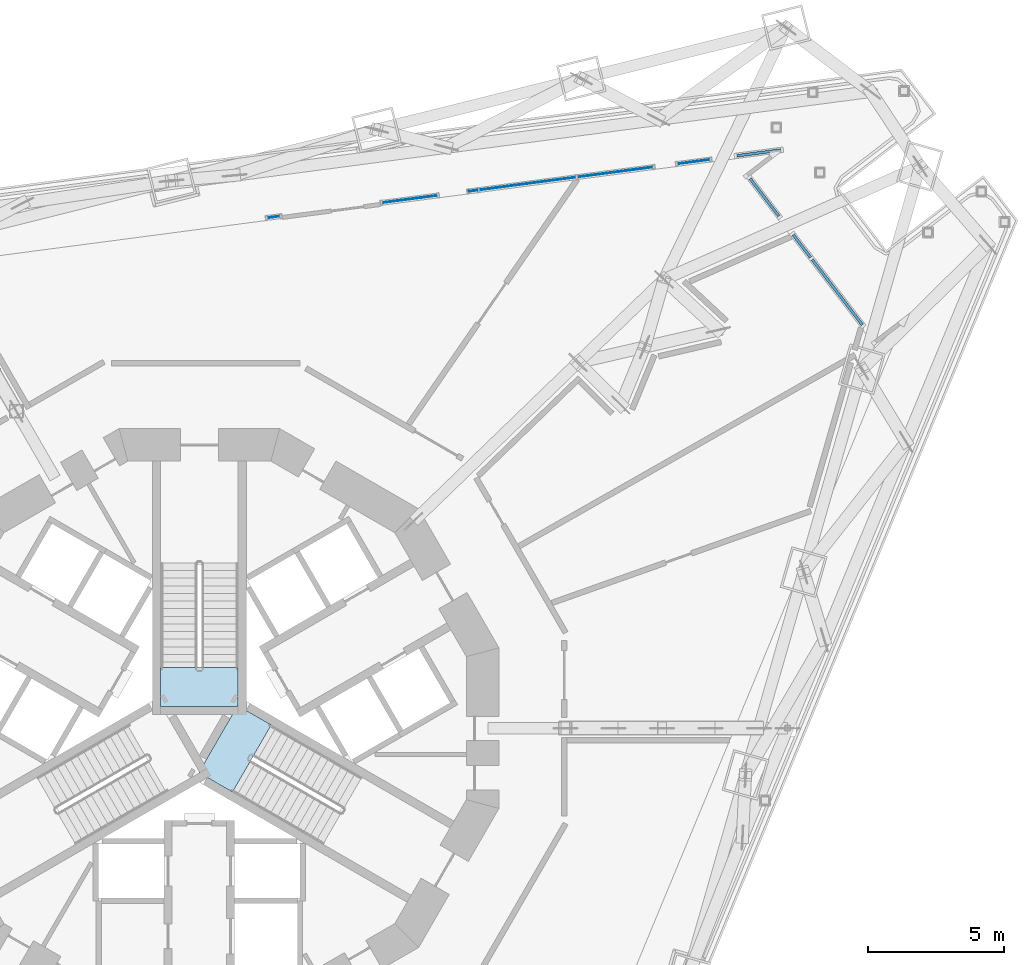
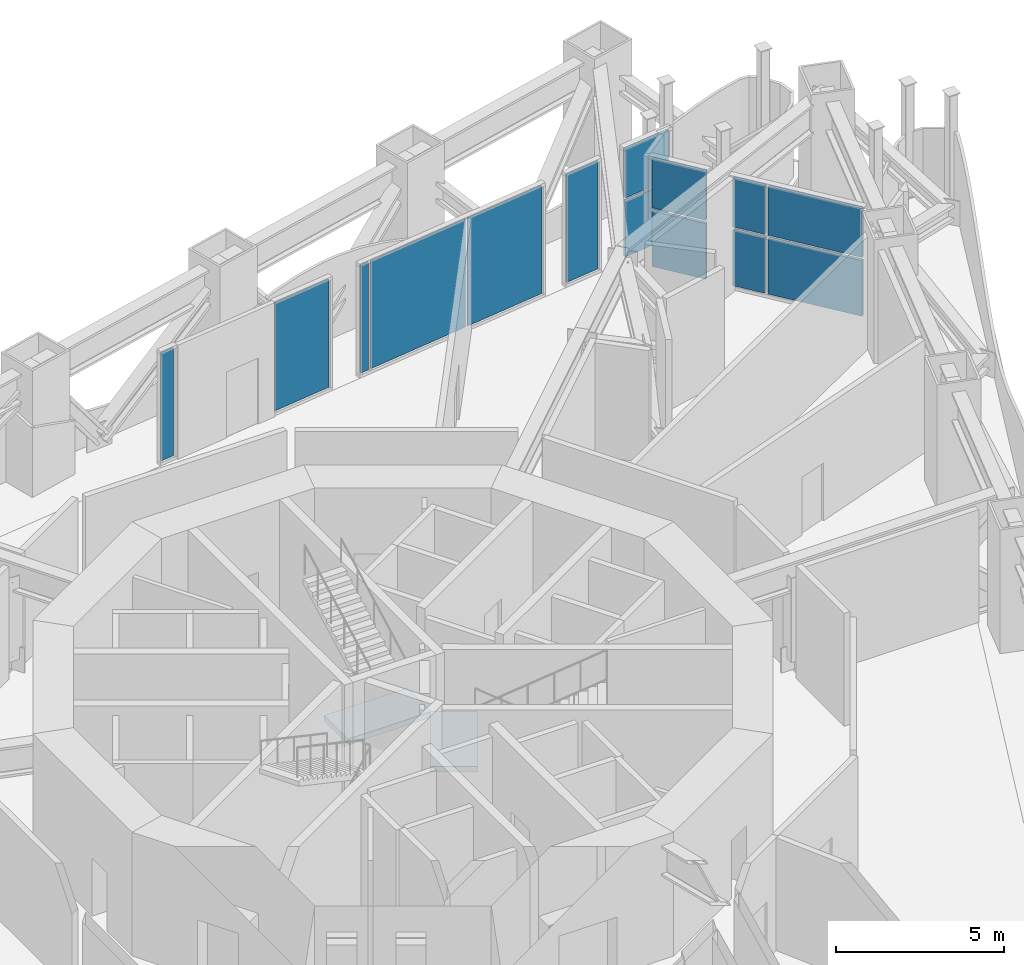
# One storey, part 16 of 31: 14 plates, 2 slabs, 9 elements without a shape of their own.
"""IFC4 building model written with IfcOpenShell, lengths in metres."""

from ifc_helpers import new_model, si_unit, direction, frame, origin, origin_2d, place, context, subcontext, project, spatial, polyline, rectangle, outline, extrude, material, layer, layer_set, type_object, element, aggregate, save


model = new_model("IFC4")

# Units and contexts
model_context = context("Model", 3, precision=1e-05, world=origin(), true_north=direction((0.0, 1.0)))
body_context = subcontext(model_context, "Body", "Model", "MODEL_VIEW")
ifc_project = project(units=[si_unit("LENGTHUNIT", "METRE"), si_unit("AREAUNIT", "SQUARE_METRE"), si_unit("VOLUMEUNIT", "CUBIC_METRE"), si_unit("PLANEANGLEUNIT", "RADIAN"), si_unit("MASSUNIT", "GRAM", prefix="KILO")], contexts=[model_context])

# Site, building, storey
site_placement = place(None, origin())
site = spatial("IfcSite", under=ifc_project, at=site_placement, CompositionType="ELEMENT")
building_placement = place(site_placement, origin())
building = spatial("IfcBuilding", under=site, at=building_placement, Name="Trine Commons Tower", CompositionType="ELEMENT")
storey_placement = place(building_placement, frame((0.0, 0.0, 82.800048828125)))
storey = spatial("IfcBuildingStorey", under=building, at=storey_placement, Name="L20", CompositionType="ELEMENT", Elevation=82.800048828125)

# Curtain wall, plate
ifc_material_1 = material(Name="Sky lounge glazing: anodised aluminium frame with low-emissivity double glazed unit, solar control", Category="aluminium")
ifc_layer_1 = layer(ifc_material_1, 0.179931640625)
ifc_layer_set_1 = layer_set([ifc_layer_1], Name="Sky lounge glazing: anodised aluminium frame with low-emissivity double glazed unit, solar control")
curtain_wall_type_1 = type_object("IfcCurtainWallType", Name="Sky lounge glazing curtain wall CW5", PredefinedType="NOTDEFINED", material=ifc_layer_set_1)
curtain_wall_1_placement = place(storey_placement, origin())
curtain_wall_1 = element("IfcCurtainWall", 1, at=curtain_wall_1_placement, inside=storey, type_object=curtain_wall_type_1, Name="Sky lounge glazing L20 F1.1", PredefinedType="NOTDEFINED")
ifc_material_2 = material(Name="Low-emissivity double glazed unit, solar control")
ifc_layer_2 = layer(ifc_material_2, 0.031982421875)
ifc_layer_set_2 = layer_set([ifc_layer_2], Name="Low-emissivity double glazed unit, solar control")
plate_type_1 = type_object("IfcPlateType", Name="Double glazed unit 32 mm (sky floors)", PredefinedType="CURTAIN_PANEL", material=ifc_layer_set_2)
plate_1_placement = place(storey_placement, frame((82.733154296875, 81.2841796875, 0.10986328125), z_axis=(0.0, 0.0, 1.0), x_axis=(0.991444861374, 0.13052619222, 0.0)))
plate_1 = element("IfcPlate", 2, at=plate_1_placement, type_object=plate_type_1, Name="CW5 panel 1.1", PredefinedType="CURTAIN_PANEL", context=body_context, shape_type="SweptSolid", body=[
    extrude(rectangle(XDim=0.4580078125, YDim=0.031982421875, at=origin_2d()), origin(), (0.0, 0.0, 1.0), 3.929931640625),
])
aggregate(curtain_wall_1, [plate_1])

curtain_wall_2_placement = place(storey_placement, origin())
curtain_wall_2 = element("IfcCurtainWall", 3, at=curtain_wall_2_placement, inside=storey, type_object=curtain_wall_type_1, Name="Sky lounge glazing L20 F1.2", PredefinedType="NOTDEFINED")
plate_2_placement = place(storey_placement, frame((87.73095703125, 81.942138671875, 0.10986328125), z_axis=(0.0, 0.0, 1.0), x_axis=(0.991444861374, 0.13052619222, 0.0)))
plate_2 = element("IfcPlate", 4, at=plate_2_placement, type_object=plate_type_1, Name="CW5 panel 1.1", PredefinedType="CURTAIN_PANEL", context=body_context, shape_type="SweptSolid", body=[
    extrude(rectangle(XDim=2.03662109375, YDim=0.031982421875, at=origin_2d()), origin(), (0.0, 0.0, 1.0), 3.929931640625),
])
aggregate(curtain_wall_2, [plate_2])

# Curtain wall, plates
curtain_wall_3_placement = place(storey_placement, origin())
curtain_wall_3 = element("IfcCurtainWall", 5, at=curtain_wall_3_placement, inside=storey, type_object=curtain_wall_type_1, Name="Sky lounge glazing L20 F1.3", PredefinedType="NOTDEFINED")
plate_3_placement = place(storey_placement, frame((90.0673828125, 82.249755859375, 0.10986328125), z_axis=(0.0, 0.0, 1.0), x_axis=(0.991444861374, 0.13052619222, 0.0)))
plate_3 = element("IfcPlate", 6, at=plate_3_placement, type_object=plate_type_1, Name="CW5 panel 1.1", PredefinedType="CURTAIN_PANEL", context=body_context, shape_type="SweptSolid", body=[
    extrude(rectangle(XDim=0.312744140625, YDim=0.031982421875, at=origin_2d()), origin(), (0.0, 0.0, 1.0), 3.929931640625),
])
plate_4_placement = place(storey_placement, frame((92.065673828125, 82.512939453125, 0.10986328125), z_axis=(0.0, 0.0, 1.0), x_axis=(0.991444861374, 0.13052619222, 0.0)))
plate_4 = element("IfcPlate", 7, at=plate_4_placement, type_object=plate_type_1, Name="CW5 panel 2.1", PredefinedType="CURTAIN_PANEL", context=body_context, shape_type="SweptSolid", body=[
    extrude(rectangle(XDim=3.568603515625, YDim=0.031982421875, at=origin_2d()), origin(), (0.0, 0.0, 1.0), 3.929931640625),
])
plate_5_placement = place(storey_placement, frame((95.28955078125, 82.937255859375, 0.10986328125), z_axis=(0.0, 0.0, 1.0), x_axis=(0.991444861374, 0.13052619222, 0.0)))
plate_5 = element("IfcPlate", 8, at=plate_5_placement, type_object=plate_type_1, Name="CW5 panel 3.1", PredefinedType="CURTAIN_PANEL", context=body_context, shape_type="SweptSolid", body=[
    extrude(rectangle(XDim=2.78466796875, YDim=0.031982421875, at=origin_2d()), origin(), (0.0, 0.0, 1.0), 3.929931640625),
])
aggregate(curtain_wall_3, [plate_3, plate_4, plate_5])

# Curtain wall, plate
curtain_wall_4_placement = place(storey_placement, origin())
curtain_wall_4 = element("IfcCurtainWall", 9, at=curtain_wall_4_placement, inside=storey, type_object=curtain_wall_type_1, Name="Sky lounge glazing L20 F1.4", PredefinedType="NOTDEFINED")
plate_6_placement = place(storey_placement, frame((98.169921875, 83.31640625, 0.10986328125), z_axis=(0.0, 0.0, 1.0), x_axis=(0.991444861374, 0.13052619222, 0.0)))
plate_6 = element("IfcPlate", 10, at=plate_6_placement, type_object=plate_type_1, Name="CW5 panel 1.1", PredefinedType="CURTAIN_PANEL", context=body_context, shape_type="SweptSolid", body=[
    extrude(rectangle(XDim=1.19091796875, YDim=0.031982421875, at=origin_2d()), origin(), (0.0, 0.0, 1.0), 3.929931640625),
])
aggregate(curtain_wall_4, [plate_6])

# Curtain wall, plates
ifc_material_3 = material(Name="Plant louvre wall: anodised aluminium frame with anodised aluminium louvre blades", Category="aluminium")
ifc_layer_3 = layer(ifc_material_3, 0.199951171875)
ifc_layer_set_3 = layer_set([ifc_layer_3], Name="Plant louvre wall: anodised aluminium frame with anodised aluminium louvre blades")
curtain_wall_type_2 = type_object("IfcCurtainWallType", Name="Plant louvre wall curtain wall CW7", PredefinedType="NOTDEFINED", material=ifc_layer_set_3)
curtain_wall_5_placement = place(storey_placement, origin())
curtain_wall_5 = element("IfcCurtainWall", 11, at=curtain_wall_5_placement, inside=storey, type_object=curtain_wall_type_2, Name="Plant louvre wall L20 F1.5", PredefinedType="NOTDEFINED")
ifc_material_4 = material(Name="Anodised aluminium louvre blades", Category="aluminium")
ifc_layer_4 = layer(ifc_material_4, 0.10009765625)
ifc_layer_set_4 = layer_set([ifc_layer_4], Name="Anodised aluminium louvre blades")
plate_type_2 = type_object("IfcPlateType", Name="Fixed aluminium louvre panel 100", PredefinedType="CURTAIN_PANEL", material=ifc_layer_set_4)
plate_7_placement = place(storey_placement, frame((100.561767578125, 83.6416015625, 0.119873046875), z_axis=(0.0, 0.0, 1.0), x_axis=(0.991444861374, 0.13052619222, 0.0)))
plate_7 = element("IfcPlate", 12, at=plate_7_placement, type_object=plate_type_2, Name="CW7 panel 1.1", PredefinedType="CURTAIN_PANEL", context=body_context, shape_type="SweptSolid", body=[
    extrude(rectangle(XDim=1.621826171875, YDim=0.10009765625, at=origin_2d()), origin(), (0.0, 0.0, 1.0), 2.02001953125),
])
plate_8_placement = place(storey_placement, frame((100.561767578125, 83.6416015625, 2.260009765625), z_axis=(0.0, 0.0, 1.0), x_axis=(0.991444861374, 0.13052619222, 0.0)))
plate_8 = element("IfcPlate", 13, at=plate_8_placement, type_object=plate_type_2, Name="CW7 panel 1.2", PredefinedType="CURTAIN_PANEL", context=body_context, shape_type="SweptSolid", body=[
    extrude(rectangle(XDim=1.621826171875, YDim=0.10009765625, at=origin_2d()), origin(), (0.0, 0.0, 1.0), 1.77001953125),
])
aggregate(curtain_wall_5, [plate_7, plate_8])

curtain_wall_6_placement = place(storey_placement, origin())
curtain_wall_6 = element("IfcCurtainWall", 14, at=curtain_wall_6_placement, inside=storey, type_object=curtain_wall_type_2, Name="Plant louvre wall L20 P2.1", PredefinedType="NOTDEFINED")
plate_9_placement = place(storey_placement, frame((100.7705078125, 82.007080078125, 0.119873046875), z_axis=(0.0, 0.0, 1.0), x_axis=(0.608761429009, -0.793353340291, 0.0)))
plate_9 = element("IfcPlate", 15, at=plate_9_placement, type_object=plate_type_2, Name="CW7 panel 1.1", PredefinedType="CURTAIN_PANEL", context=body_context, shape_type="SweptSolid", body=[
    extrude(rectangle(XDim=1.736328125, YDim=0.10009765625, at=origin_2d()), origin(), (0.0, 0.0, 1.0), 2.02001953125),
])
plate_10_placement = place(storey_placement, frame((100.7705078125, 82.007080078125, 2.260009765625), z_axis=(0.0, 0.0, 1.0), x_axis=(0.608761429009, -0.793353340291, 0.0)))
plate_10 = element("IfcPlate", 16, at=plate_10_placement, type_object=plate_type_2, Name="CW7 panel 1.2", PredefinedType="CURTAIN_PANEL", context=body_context, shape_type="SweptSolid", body=[
    extrude(rectangle(XDim=1.736328125, YDim=0.10009765625, at=origin_2d()), origin(), (0.0, 0.0, 1.0), 1.77001953125),
])
aggregate(curtain_wall_6, [plate_9, plate_10])

curtain_wall_7_placement = place(storey_placement, origin())
curtain_wall_7 = element("IfcCurtainWall", 17, at=curtain_wall_7_placement, inside=storey, type_object=curtain_wall_type_2, Name="Plant louvre wall L20 P2.2", PredefinedType="NOTDEFINED")
plate_11_placement = place(storey_placement, frame((102.145751953125, 80.215087890625, 0.119873046875), z_axis=(0.0, 0.0, 1.0), x_axis=(0.608761429009, -0.793353340291, 0.0)))
plate_11 = element("IfcPlate", 18, at=plate_11_placement, type_object=plate_type_2, Name="CW7 panel 1.1", PredefinedType="CURTAIN_PANEL", context=body_context, shape_type="SweptSolid", body=[
    extrude(rectangle(XDim=1.045654296875, YDim=0.10009765625, at=origin_2d()), origin(), (0.0, 0.0, 1.0), 2.02001953125),
])
plate_12_placement = place(storey_placement, frame((102.145751953125, 80.215087890625, 2.260009765625), z_axis=(0.0, 0.0, 1.0), x_axis=(0.608761429009, -0.793353340291, 0.0)))
plate_12 = element("IfcPlate", 19, at=plate_12_placement, type_object=plate_type_2, Name="CW7 panel 1.2", PredefinedType="CURTAIN_PANEL", context=body_context, shape_type="SweptSolid", body=[
    extrude(rectangle(XDim=1.045654296875, YDim=0.10009765625, at=origin_2d()), origin(), (0.0, 0.0, 1.0), 1.77001953125),
])
plate_13_placement = place(storey_placement, frame((103.44580078125, 78.5205078125, 0.119873046875), z_axis=(0.0, 0.0, 1.0), x_axis=(0.608761429009, -0.793353340291, 0.0)))
plate_13 = element("IfcPlate", 20, at=plate_13_placement, type_object=plate_type_2, Name="CW7 panel 2.1", PredefinedType="CURTAIN_PANEL", context=body_context, shape_type="SweptSolid", body=[
    extrude(rectangle(XDim=3.026123046875, YDim=0.10009765625, at=origin_2d()), origin(), (0.0, 0.0, 1.0), 2.02001953125),
])
plate_14_placement = place(storey_placement, frame((103.44580078125, 78.5205078125, 2.260009765625), z_axis=(0.0, 0.0, 1.0), x_axis=(0.608761429009, -0.793353340291, 0.0)))
plate_14 = element("IfcPlate", 21, at=plate_14_placement, type_object=plate_type_2, Name="CW7 panel 2.2", PredefinedType="CURTAIN_PANEL", context=body_context, shape_type="SweptSolid", body=[
    extrude(rectangle(XDim=3.026123046875, YDim=0.10009765625, at=origin_2d()), origin(), (0.0, 0.0, 1.0), 1.77001953125),
])
aggregate(curtain_wall_7, [plate_11, plate_12, plate_13, plate_14])

# Stair, slab
ifc_material_5 = material(Name="Concrete C50/60", Category="concrete")
stair_type = type_object("IfcStairType", Name="Exit stair, dog-leg, 30 risers of 150 mm", PredefinedType="HALF_TURN_STAIR", material=ifc_material_5)
stair_1_placement = place(storey_placement, origin())
stair_1 = element("IfcStair", 22, at=stair_1_placement, inside=storey, type_object=stair_type, Name="L20 Exit stair ST1A", PredefinedType="HALF_TURN_STAIR")
ifc_layer_5 = layer(ifc_material_5, 0.199951171875)
ifc_layer_set_5 = layer_set([ifc_layer_5], Name="Concrete C50/60")
slab_type = type_object("IfcSlabType", Name="Stair landing slab 200 mm, C50/60", PredefinedType="LANDING", material=ifc_layer_set_5)
slab_1_placement = place(storey_placement, frame((0.0, 0.0, 2.050048828125)))
slab_1 = element("IfcSlab", 23, at=slab_1_placement, type_object=slab_type, Name="ST1A landing 1", PredefinedType="LANDING", context=body_context, shape_type="SweptSolid", body=[
    extrude(outline(polyline([(78.574951171875, 64.730712890625), (78.574951171875, 63.300537109375), (81.425048828125, 63.300537109375), (81.425048828125, 64.730712890625), (78.574951171875, 64.730712890625)])), origin(), (0.0, 0.0, 1.0), 0.199951171875),
])
aggregate(stair_1, [slab_1])

stair_2_placement = place(storey_placement, origin())
stair_2 = element("IfcStair", 24, at=stair_2_placement, inside=storey, type_object=stair_type, Name="L20 Exit stair ST3A", PredefinedType="HALF_TURN_STAIR")
slab_2_placement = place(storey_placement, frame((0.0, 0.0, 2.050048828125)))
slab_2 = element("IfcSlab", 25, at=slab_2_placement, type_object=slab_type, Name="ST3A landing 1", PredefinedType="LANDING", context=body_context, shape_type="SweptSolid", body=[
    extrude(outline(polyline([(82.644287109375, 62.618896484375), (81.40576171875, 63.333740234375), (79.980712890625, 60.86572265625), (81.21923828125, 60.150634765625), (82.644287109375, 62.618896484375)])), origin(), (0.0, 0.0, 1.0), 0.199951171875),
])
aggregate(stair_2, [slab_2])

save(model, "model.ifc")
